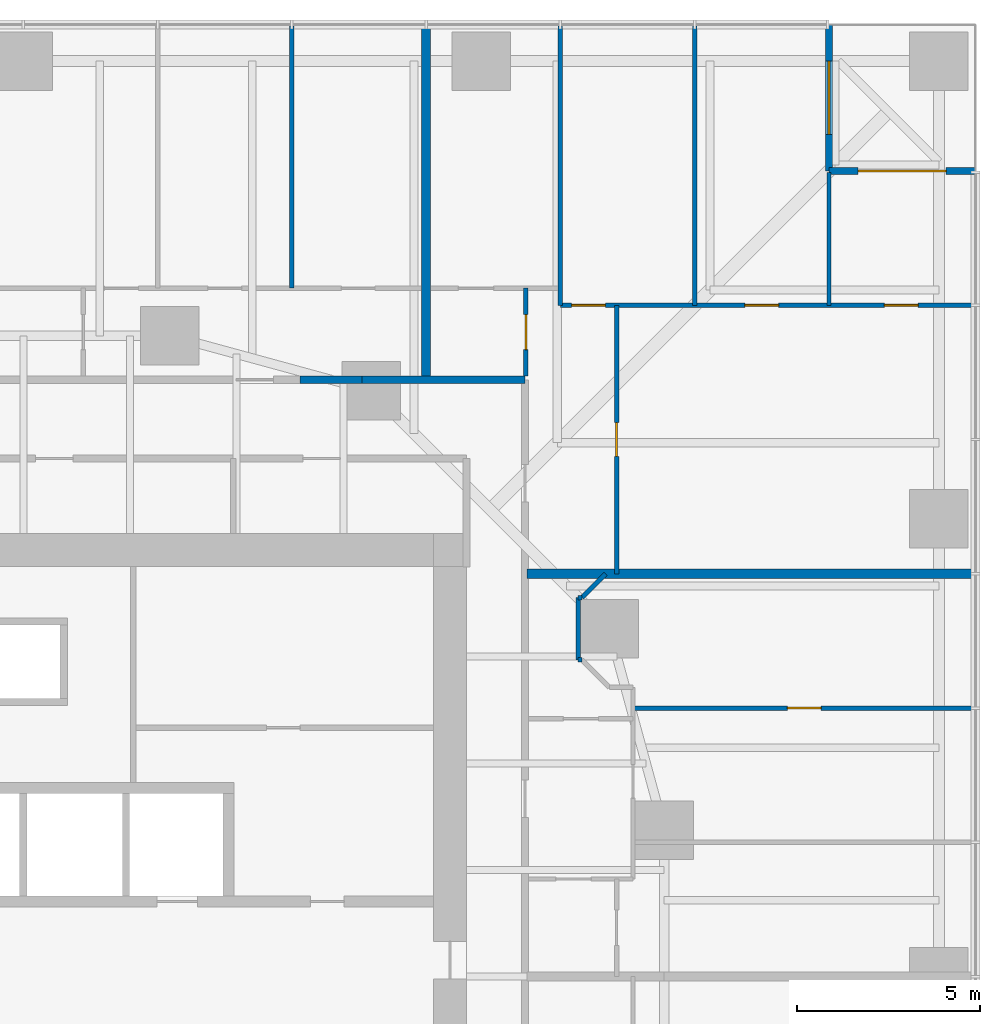
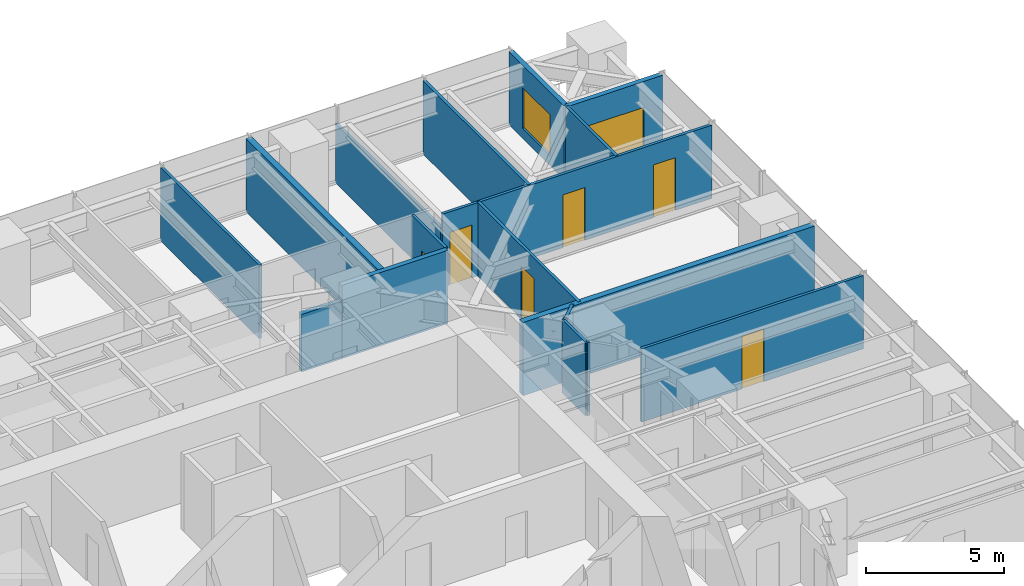
# One storey, part 16 of 18: 18 walls, 7 doors, 1 window, 8 openings.
"""IFC4 building model written with IfcOpenShell, lengths in metres."""

from ifc_helpers import new_model, si_unit, direction, frame, frame_2d, origin, place, context, subcontext, project, spatial, rectangle, extrude, material, layer, layer_set, type_object, element, fill, save


model = new_model("IFC4")

# Units and contexts
model_context = context("Model", 3, precision=1e-05, world=origin(), true_north=direction((0.0, 1.0)))
body_context = subcontext(model_context, "Body", "Model", "MODEL_VIEW")
ifc_project = project(units=[si_unit("LENGTHUNIT", "METRE"), si_unit("AREAUNIT", "SQUARE_METRE"), si_unit("VOLUMEUNIT", "CUBIC_METRE"), si_unit("PLANEANGLEUNIT", "RADIAN"), si_unit("MASSUNIT", "GRAM", prefix="KILO")], contexts=[model_context])

# Site, building, storey
site_placement = place(None, origin())
site = spatial("IfcSite", under=ifc_project, at=site_placement, CompositionType="ELEMENT")
building_placement = place(site_placement, origin())
building = spatial("IfcBuilding", under=site, at=building_placement, Name="Torsade Residences", CompositionType="ELEMENT")
storey_placement = place(building_placement, frame((0.0, 0.0, 25.199951171875)))
storey = spatial("IfcBuildingStorey", under=building, at=storey_placement, Name="L06", CompositionType="ELEMENT", Elevation=25.199951171875)

# Walls
ifc_material_1 = material(Name="Plasterboard on steel stud", Category="steel")
ifc_layer_1 = layer(ifc_material_1, 0.199951171875)
ifc_layer_set_1 = layer_set([ifc_layer_1], Name="Plasterboard on steel stud")
wall_type_1 = type_object("IfcWallType", Name="CORRIDOR WALL 200", PredefinedType="PARTITIONING", material=ifc_layer_set_1)
wall_1_placement = place(storey_placement, frame((53.699951171875, 46.300048828125, 0.0), z_axis=(0.0, 0.0, 1.0), x_axis=(-1.0, 0.0, 0.0)))
element("IfcWall", 1, at=wall_1_placement, inside=storey, type_object=wall_type_1, Name="Corridor wall L06", PredefinedType="PARTITIONING", context=body_context, shape_type="SweptSolid", body=[
    extrude(rectangle(XDim=4.458251953125, YDim=0.199951171875, at=frame_2d((2.22900390625, 0.0))), origin(), (0.0, 0.0, 1.0), 3.25),
])
wall_2_placement = place(storey_placement, frame((49.24169921875, 46.300048828125, 0.0), z_axis=(0.0, 0.0, 1.0), x_axis=(-1.0, 0.0, 0.0)))
element("IfcWall", 2, at=wall_2_placement, inside=storey, type_object=wall_type_1, Name="Corridor wall L06", PredefinedType="PARTITIONING", context=body_context, shape_type="SweptSolid", body=[
    extrude(rectangle(XDim=1.683349609375, YDim=0.199951171875, at=frame_2d((0.841796875, 0.0))), origin(), (0.0, 0.0, 1.0), 2.550048828125),
])
ifc_material_2 = material(Name="Plasterboard on steel stud", Category="steel")
ifc_layer_2 = layer(ifc_material_2, 0.1201171875)
ifc_layer_set_2 = layer_set([ifc_layer_2], Name="Plasterboard on steel stud")
wall_type_2 = type_object("IfcWallType", Name="PARTITION 120", PredefinedType="PARTITIONING", material=ifc_layer_set_2)
wall_3_placement = place(storey_placement, frame((55.89990234375, 41.0, 0.0), z_axis=(0.0, 0.0, 1.0), x_axis=(-0.707106781187, -0.707106781187, 0.0)))
element("IfcWall", 3, at=wall_3_placement, inside=storey, type_object=wall_type_2, Name="Partition L06", PredefinedType="PARTITIONING", context=body_context, shape_type="SweptSolid", body=[
    extrude(rectangle(XDim=0.919189453125, YDim=0.1201171875, at=frame_2d((0.45947265625, 0.0))), origin(), (0.0, 0.0, 1.0), 3.25),
])
wall_4_placement = place(storey_placement, frame((55.14990234375, 40.35009765625, 0.0), z_axis=(0.0, 0.0, 1.0), x_axis=(0.0, -1.0, 0.0)))
element("IfcWall", 4, at=wall_4_placement, inside=storey, type_object=wall_type_2, Name="Partition L06", PredefinedType="PARTITIONING", context=body_context, shape_type="SweptSolid", body=[
    extrude(rectangle(XDim=1.7001953125, YDim=0.1201171875, at=frame_2d((0.85009765625, 0.0))), origin(), (0.0, 0.0, 1.0), 3.25),
])

# Wall, opening, door
wall_5_placement = place(storey_placement, frame((65.9599609375, 37.333251953125, 0.0), z_axis=(0.0, 0.0, 1.0), x_axis=(-1.0, 0.0, 0.0)))
wall_5 = element("IfcWall", 5, at=wall_5_placement, inside=storey, type_object=wall_type_2, Name="Partition L06", PredefinedType="PARTITIONING", context=body_context, shape_type="SweptSolid", body=[
    extrude(rectangle(XDim=9.31005859375, YDim=0.1201171875, at=frame_2d((4.655029296875, 0.0))), origin(), (0.0, 0.0, 1.0), 3.25),
])
opening_1_placement = place(wall_5_placement, frame((4.175048828125, 0.0, 0.0)))
opening_1 = element("IfcOpeningElement", 6, at=opening_1_placement, cuts=wall_5, Name="Opening D02", PredefinedType="OPENING", context=body_context, shape_type="SweptSolid", body=[
    extrude(rectangle(XDim=0.919921875, YDim=2.340087890625, at=frame_2d((0.4599609375, 1.169921875))), frame((0.0, 0.070068359375, 0.0), z_axis=(0.0, -1.0, 0.0), x_axis=(1.0, 0.0, 0.0)), (0.0, 0.0, 1.0), 0.14013671875),
])
ifc_material_3 = material(Name="Hollow-core timber door", Category="wood")
door_type_1 = type_object("IfcDoorType", Name="INTERNAL DOOR 920x2340", OperationType="NOTDEFINED", PredefinedType="DOOR", material=ifc_material_3)
door_1_placement = place(opening_1_placement, origin())
door_1 = element("IfcDoor", 7, at=door_1_placement, inside=storey, type_object=door_type_1, Name="Door Bedroom 2 to Bedroom 1", OperationType="SINGLE_SWING_LEFT", OverallHeight=2.340087890625, OverallWidth=0.919921875, PredefinedType="DOOR", context=body_context, shape_type="SweptSolid", body=[
    extrude(rectangle(XDim=0.919921875, YDim=2.340087890625, at=frame_2d((0.4599609375, 1.169921875))), frame((0.0, 0.02490234375, 0.0), z_axis=(0.0, -1.0, 0.0), x_axis=(1.0, 0.0, 0.0)), (0.0, 0.0, 1.0), 0.050048828125),
])
fill(opening_1, door_1)

wall_6_placement = place(storey_placement, frame((53.724365234375, 46.39990234375, 0.0), z_axis=(0.0, 0.0, 1.0), x_axis=(0.0, 1.0, 0.0)))
wall_6 = element("IfcWall", 8, at=wall_6_placement, inside=storey, type_object=wall_type_2, Name="Partition L06", PredefinedType="PARTITIONING", context=body_context, shape_type="SweptSolid", body=[
    extrude(rectangle(XDim=2.400146484375, YDim=0.1201171875, at=frame_2d((1.2001953125, 0.0))), origin(), (0.0, 0.0, 1.0), 3.25),
])
opening_2_placement = place(wall_6_placement, frame((0.719970703125, 0.0, 0.0)))
opening_2 = element("IfcOpeningElement", 9, at=opening_2_placement, cuts=wall_6, Name="Opening D05", PredefinedType="OPENING", context=body_context, shape_type="SweptSolid", body=[
    extrude(rectangle(XDim=0.9599609375, YDim=2.10009765625, at=frame_2d((0.47998046875, 1.050048828125))), frame((0.0, 0.070068359375, 0.0), z_axis=(0.0, -1.0, 0.0), x_axis=(1.0, 0.0, 0.0)), (0.0, 0.0, 1.0), 0.14013671875),
])
ifc_material_4 = material(Name="Hollow-core timber door in a steel cavity frame", Category="steel")
door_type_2 = type_object("IfcDoorType", Name="BATHROOM CAVITY SLIDING DOOR 960", OperationType="SLIDING_TO_LEFT", PredefinedType="DOOR", material=ifc_material_4)
door_2_placement = place(opening_2_placement, origin())
door_2 = element("IfcDoor", 10, at=door_2_placement, inside=storey, type_object=door_type_2, Name="Door Kitchen and dining to Bathroom", OperationType="SLIDING_TO_LEFT", OverallHeight=2.10009765625, OverallWidth=0.9599609375, PredefinedType="DOOR", context=body_context, shape_type="SweptSolid", body=[
    extrude(rectangle(XDim=0.9599609375, YDim=2.10009765625, at=frame_2d((0.47998046875, 1.050048828125))), frame((0.0, 0.02490234375, 0.0), z_axis=(0.0, -1.0, 0.0), x_axis=(1.0, 0.0, 0.0)), (0.0, 0.0, 1.0), 0.050048828125),
])
fill(opening_2, door_2)

wall_7_placement = place(storey_placement, frame((56.199951171875, 48.333251953125, 0.0), z_axis=(0.0, 0.0, 1.0), x_axis=(0.0, -1.0, 0.0)))
wall_7 = element("IfcWall", 11, at=wall_7_placement, inside=storey, type_object=wall_type_2, Name="Partition L06", PredefinedType="PARTITIONING", context=body_context, shape_type="SweptSolid", body=[
    extrude(rectangle(XDim=7.333251953125, YDim=0.1201171875, at=frame_2d((3.66650390625, 0.0))), origin(), (0.0, 0.0, 1.0), 3.25),
])
opening_3_placement = place(wall_7_placement, frame((3.20654296875, 0.0, 0.0)))
opening_3 = element("IfcOpeningElement", 12, at=opening_3_placement, cuts=wall_7, Name="Opening D02", PredefinedType="OPENING", context=body_context, shape_type="SweptSolid", body=[
    extrude(rectangle(XDim=0.919921875, YDim=2.340087890625, at=frame_2d((0.4599609375, 1.169921875))), frame((0.0, 0.070068359375, 0.0), z_axis=(0.0, -1.0, 0.0), x_axis=(1.0, 0.0, 0.0)), (0.0, 0.0, 1.0), 0.14013671875),
])
door_3_placement = place(opening_3_placement, origin())
door_3 = element("IfcDoor", 13, at=door_3_placement, inside=storey, type_object=door_type_1, Name="Door Kitchen and dining to Living room", OperationType="SINGLE_SWING_RIGHT", OverallHeight=2.340087890625, OverallWidth=0.919921875, PredefinedType="DOOR", context=body_context, shape_type="SweptSolid", body=[
    extrude(rectangle(XDim=0.919921875, YDim=2.340087890625, at=frame_2d((0.4599609375, 1.169921875))), frame((0.0, 0.02490234375, 0.0), z_axis=(0.0, -1.0, 0.0), x_axis=(1.0, 0.0, 0.0)), (0.0, 0.0, 1.0), 0.050048828125),
])
fill(opening_3, door_3)

# Wall
wall_8_placement = place(storey_placement, frame((54.666748046875, 55.9599609375, 0.0), z_axis=(0.0, 0.0, 1.0), x_axis=(0.0, -1.0, 0.0)))
element("IfcWall", 14, at=wall_8_placement, inside=storey, type_object=wall_type_2, Name="Partition L06", PredefinedType="PARTITIONING", context=body_context, shape_type="SweptSolid", body=[
    extrude(rectangle(XDim=7.626708984375, YDim=0.1201171875, at=frame_2d((3.8134765625, 0.0))), origin(), (0.0, 0.0, 1.0), 2.636962890625),
])

# Wall, openings, doors
wall_9_placement = place(storey_placement, frame((54.666748046875, 48.333251953125, 0.0), z_axis=(0.0, 0.0, 1.0), x_axis=(1.0, 0.0, 0.0)))
wall_9 = element("IfcWall", 15, at=wall_9_placement, inside=storey, type_object=wall_type_2, Name="Partition L06", PredefinedType="PARTITIONING", context=body_context, shape_type="SweptSolid", body=[
    extrude(rectangle(XDim=11.293212890625, YDim=0.1201171875, at=frame_2d((5.646484375, 0.0))), origin(), (0.0, 0.0, 1.0), 3.25),
])
opening_4_placement = place(wall_9_placement, frame((0.306640625, 0.0, 0.0)))
opening_4 = element("IfcOpeningElement", 16, at=opening_4_placement, cuts=wall_9, Name="Opening D02", PredefinedType="OPENING", context=body_context, shape_type="SweptSolid", body=[
    extrude(rectangle(XDim=0.919921875, YDim=2.340087890625, at=frame_2d((0.4599609375, 1.169921875))), frame((0.0, 0.070068359375, 0.0), z_axis=(0.0, -1.0, 0.0), x_axis=(1.0, 0.0, 0.0)), (0.0, 0.0, 1.0), 0.14013671875),
])
opening_5_placement = place(wall_9_placement, frame((8.848388671875, 0.0, 0.0)))
opening_5 = element("IfcOpeningElement", 17, at=opening_5_placement, cuts=wall_9, Name="Opening D02", PredefinedType="OPENING", context=body_context, shape_type="SweptSolid", body=[
    extrude(rectangle(XDim=0.919921875, YDim=2.340087890625, at=frame_2d((0.4599609375, 1.169921875))), frame((0.0, 0.070068359375, 0.0), z_axis=(0.0, -1.0, 0.0), x_axis=(1.0, 0.0, 0.0)), (0.0, 0.0, 1.0), 0.14013671875),
])
opening_6_placement = place(wall_9_placement, frame((5.0400390625, 0.0, 0.0)))
opening_6 = element("IfcOpeningElement", 18, at=opening_6_placement, cuts=wall_9, Name="Opening D02", PredefinedType="OPENING", context=body_context, shape_type="SweptSolid", body=[
    extrude(rectangle(XDim=0.919921875, YDim=2.340087890625, at=frame_2d((0.4599609375, 1.169921875))), frame((0.0, 0.070068359375, 0.0), z_axis=(0.0, -1.0, 0.0), x_axis=(1.0, 0.0, 0.0)), (0.0, 0.0, 1.0), 0.14013671875),
])
door_4_placement = place(opening_4_placement, origin())
door_4 = element("IfcDoor", 19, at=door_4_placement, inside=storey, type_object=door_type_1, Name="Door Kitchen and dining to Bedroom 2", OperationType="SINGLE_SWING_LEFT", OverallHeight=2.340087890625, OverallWidth=0.919921875, PredefinedType="DOOR", context=body_context, shape_type="SweptSolid", body=[
    extrude(rectangle(XDim=0.919921875, YDim=2.340087890625, at=frame_2d((0.4599609375, 1.169921875))), frame((0.0, 0.02490234375, 0.0), z_axis=(0.0, -1.0, 0.0), x_axis=(1.0, 0.0, 0.0)), (0.0, 0.0, 1.0), 0.050048828125),
])
fill(opening_4, door_4)
door_5_placement = place(opening_5_placement, origin())
door_5 = element("IfcDoor", 20, at=door_5_placement, inside=storey, type_object=door_type_1, Name="Door Living room to Family room", OperationType="SINGLE_SWING_LEFT", OverallHeight=2.340087890625, OverallWidth=0.919921875, PredefinedType="DOOR", context=body_context, shape_type="SweptSolid", body=[
    extrude(rectangle(XDim=0.919921875, YDim=2.340087890625, at=frame_2d((0.4599609375, 1.169921875))), frame((0.0, 0.02490234375, 0.0), z_axis=(0.0, -1.0, 0.0), x_axis=(1.0, 0.0, 0.0)), (0.0, 0.0, 1.0), 0.050048828125),
])
fill(opening_5, door_5)
door_6_placement = place(opening_6_placement, origin())
door_6 = element("IfcDoor", 21, at=door_6_placement, inside=storey, type_object=door_type_1, Name="Door Living room to Bedroom 1", OperationType="SINGLE_SWING_RIGHT", OverallHeight=2.340087890625, OverallWidth=0.919921875, PredefinedType="DOOR", context=body_context, shape_type="SweptSolid", body=[
    extrude(rectangle(XDim=0.919921875, YDim=2.340087890625, at=frame_2d((0.4599609375, 1.169921875))), frame((0.0, 0.02490234375, 0.0), z_axis=(0.0, -1.0, 0.0), x_axis=(1.0, 0.0, 0.0)), (0.0, 0.0, 1.0), 0.050048828125),
])
fill(opening_6, door_6)

# Walls
wall_10_placement = place(storey_placement, frame((58.333251953125, 48.333251953125, 0.0), z_axis=(0.0, 0.0, 1.0), x_axis=(0.0, 1.0, 0.0)))
element("IfcWall", 22, at=wall_10_placement, inside=storey, type_object=wall_type_2, Name="Partition L06", PredefinedType="PARTITIONING", context=body_context, shape_type="SweptSolid", body=[
    extrude(rectangle(XDim=7.626708984375, YDim=0.1201171875, at=frame_2d((3.8134765625, 0.0))), origin(), (0.0, 0.0, 1.0), 3.25),
])
wall_11_placement = place(storey_placement, frame((62.0, 51.9599609375, 0.0), z_axis=(0.0, 0.0, 1.0), x_axis=(0.0, -1.0, 0.0)))
element("IfcWall", 23, at=wall_11_placement, inside=storey, type_object=wall_type_2, Name="Partition L06", PredefinedType="PARTITIONING", context=body_context, shape_type="SweptSolid", body=[
    extrude(rectangle(XDim=3.626708984375, YDim=0.1201171875, at=frame_2d((1.8134765625, 0.0))), origin(), (0.0, 0.0, 1.0), 3.25),
])
wall_12_placement = place(storey_placement, frame((47.333251953125, 48.800048828125, 0.0), z_axis=(0.0, 0.0, 1.0), x_axis=(0.0, 1.0, 0.0)))
element("IfcWall", 24, at=wall_12_placement, inside=storey, type_object=wall_type_2, Name="Partition L06", PredefinedType="PARTITIONING", context=body_context, shape_type="SweptSolid", body=[
    extrude(rectangle(XDim=7.159912109375, YDim=0.1201171875, at=frame_2d((3.580078125, 0.0))), origin(), (0.0, 0.0, 1.0), 3.25),
])
for number, where, z_axis, x_axis, name in (
    (25, (55.14990234375, 40.35009765625, 0.0), (0.0, 0.0, 1.0), (1.0, 0.0, 0.0), "Partition L06"),
    (26, (55.14990234375, 38.64990234375, 0.0), (0.0, 0.0, 1.0), (1.0, 0.0, 0.0), "Partition L06"),
):
    element("IfcWall", number, at=place(storey_placement, frame(where, z_axis=z_axis, x_axis=x_axis)), inside=storey, type_object=wall_type_2, Name=name, PredefinedType="PARTITIONING", context=body_context, shape_type="SweptSolid", body=[
        extrude(rectangle(XDim=0.10009765625, YDim=0.1201171875, at=frame_2d((0.050048828125, 0.0))), origin(), (0.0, 0.0, 1.0), 3.25),
    ])
ifc_material_5 = material(Name="Masonry-lined stud party wall", Category="masonry")
ifc_layer_3 = layer(ifc_material_5, 0.25)
ifc_layer_set_3 = layer_set([ifc_layer_3], Name="Masonry-lined stud party wall")
wall_type_3 = type_object("IfcWallType", Name="PARTY WALL 250", PredefinedType="PARTITIONING", material=ifc_layer_set_3)
wall_13_placement = place(storey_placement, frame((66.0, 41.0, 0.0), z_axis=(0.0, 0.0, 1.0), x_axis=(-1.0, 0.0, 0.0)))
element("IfcWall", 27, at=wall_13_placement, inside=storey, type_object=wall_type_3, Name="Party wall L06", PredefinedType="PARTITIONING", context=body_context, shape_type="SweptSolid", body=[
    extrude(rectangle(XDim=12.239990234375, YDim=0.25, at=frame_2d((6.1201171875, 0.0))), origin(), (0.0, 0.0, 1.0), 3.25),
])
wall_14_placement = place(storey_placement, frame((51.0, 56.0, 0.0), z_axis=(0.0, 0.0, 1.0), x_axis=(0.0, -1.0, 0.0)))
element("IfcWall", 28, at=wall_14_placement, inside=storey, type_object=wall_type_3, Name="Party wall L06", PredefinedType="PARTITIONING", context=body_context, shape_type="SweptSolid", body=[
    extrude(rectangle(XDim=9.639892578125, YDim=0.25, at=frame_2d((4.81982421875, 0.0))), origin(), (0.0, 0.0, 1.0), 3.25),
])

# Wall, opening, door
ifc_material_6 = material(Name="Stone-faced precast concrete 40 MPa panel", Category="masonry")
ifc_layer_4 = layer(ifc_material_6, 0.199951171875)
ifc_layer_set_4 = layer_set([ifc_layer_4], Name="Stone-faced precast concrete 40 MPa panel")
wall_type_4 = type_object("IfcWallType", Name="TERRACE WALL 200", PredefinedType="SOLIDWALL", material=ifc_layer_set_4)
wall_15_placement = place(storey_placement, frame((66.0, 52.0, 0.0), z_axis=(0.0, 0.0, 1.0), x_axis=(-1.0, 0.0, 0.0)))
wall_15 = element("IfcWall", 29, at=wall_15_placement, inside=storey, type_object=wall_type_4, Name="Terrace wall L06 5", PredefinedType="SOLIDWALL", context=body_context, shape_type="SweptSolid", body=[
    extrude(rectangle(XDim=4.0, YDim=0.199951171875, at=frame_2d((2.0, 0.0))), origin(), (0.0, 0.0, 1.0), 3.25),
])
opening_7_placement = place(wall_15_placement, frame((0.800048828125, 0.0, 0.0)))
opening_7 = element("IfcOpeningElement", 30, at=opening_7_placement, cuts=wall_15, Name="Opening D10A", PredefinedType="OPENING", context=body_context, shape_type="SweptSolid", body=[
    extrude(rectangle(XDim=2.39990234375, YDim=2.10009765625, at=frame_2d((1.199951171875, 1.050048828125))), frame((0.0, 0.10986328125, 0.0), z_axis=(0.0, -1.0, 0.0), x_axis=(1.0, 0.0, 0.0)), (0.0, 0.0, 1.0), 0.219970703125),
])
ifc_material_7 = material(Name="Aluminium-framed glass door", Category="aluminium")
door_type_3 = type_object("IfcDoorType", Name="TERRACE SLIDING DOOR 2400x2100", OperationType="SLIDING_TO_LEFT", PredefinedType="DOOR", material=ifc_material_7)
door_7_placement = place(opening_7_placement, origin())
door_7 = element("IfcDoor", 31, at=door_7_placement, inside=storey, type_object=door_type_3, Name="Terrace door L06 5", OperationType="SLIDING_TO_LEFT", OverallHeight=2.10009765625, OverallWidth=2.39990234375, PredefinedType="DOOR", context=body_context, shape_type="SweptSolid", body=[
    extrude(rectangle(XDim=2.39990234375, YDim=2.10009765625, at=frame_2d((1.199951171875, 1.050048828125))), frame((0.0, 0.02490234375, 0.0), z_axis=(0.0, -1.0, 0.0), x_axis=(1.0, 0.0, 0.0)), (0.0, 0.0, 1.0), 0.050048828125),
])
fill(opening_7, door_7)

# Wall, opening, window
wall_16_placement = place(storey_placement, frame((62.0, 52.0, 0.0), z_axis=(0.0, 0.0, 1.0), x_axis=(0.0, 1.0, 0.0)))
wall_16 = element("IfcWall", 32, at=wall_16_placement, inside=storey, type_object=wall_type_4, Name="Terrace wall L06 6", PredefinedType="SOLIDWALL", context=body_context, shape_type="SweptSolid", body=[
    extrude(rectangle(XDim=4.0, YDim=0.199951171875, at=frame_2d((2.0, 0.0))), origin(), (0.0, 0.0, 1.0), 3.25),
])
opening_8_placement = place(wall_16_placement, frame((1.0, 0.0, 0.449951171875)))
opening_8 = element("IfcOpeningElement", 33, at=opening_8_placement, cuts=wall_16, Name="Opening W1B", PredefinedType="OPENING", context=body_context, shape_type="SweptSolid", body=[
    extrude(rectangle(XDim=2.0, YDim=1.800048828125, at=frame_2d((1.0, 0.89990234375))), frame((0.0, 0.10986328125, 0.0), z_axis=(0.0, -1.0, 0.0), x_axis=(1.0, 0.0, 0.0)), (0.0, 0.0, 1.0), 0.219970703125),
])
ifc_material_8 = material(Name="Aluminium-framed glass window", Category="aluminium")
window_type = type_object("IfcWindowType", Name="TERRACE WINDOW 2000x1800", PartitioningType="SINGLE_PANEL", PredefinedType="WINDOW", material=ifc_material_8)
window_placement = place(opening_8_placement, origin())
window = element("IfcWindow", 34, at=window_placement, inside=storey, type_object=window_type, Name="Terrace window L06 6", OverallHeight=1.800048828125, OverallWidth=2.0, PartitioningType="SINGLE_PANEL", PredefinedType="WINDOW", context=body_context, shape_type="SweptSolid", body=[
    extrude(rectangle(XDim=2.0, YDim=1.800048828125, at=frame_2d((1.0, 0.89990234375))), frame((0.0, 0.030029296875, 0.0), z_axis=(0.0, -1.0, 0.0), x_axis=(1.0, 0.0, 0.0)), (0.0, 0.0, 1.0), 0.06005859375),
])
fill(opening_8, window)

save(model, "model.ifc")
